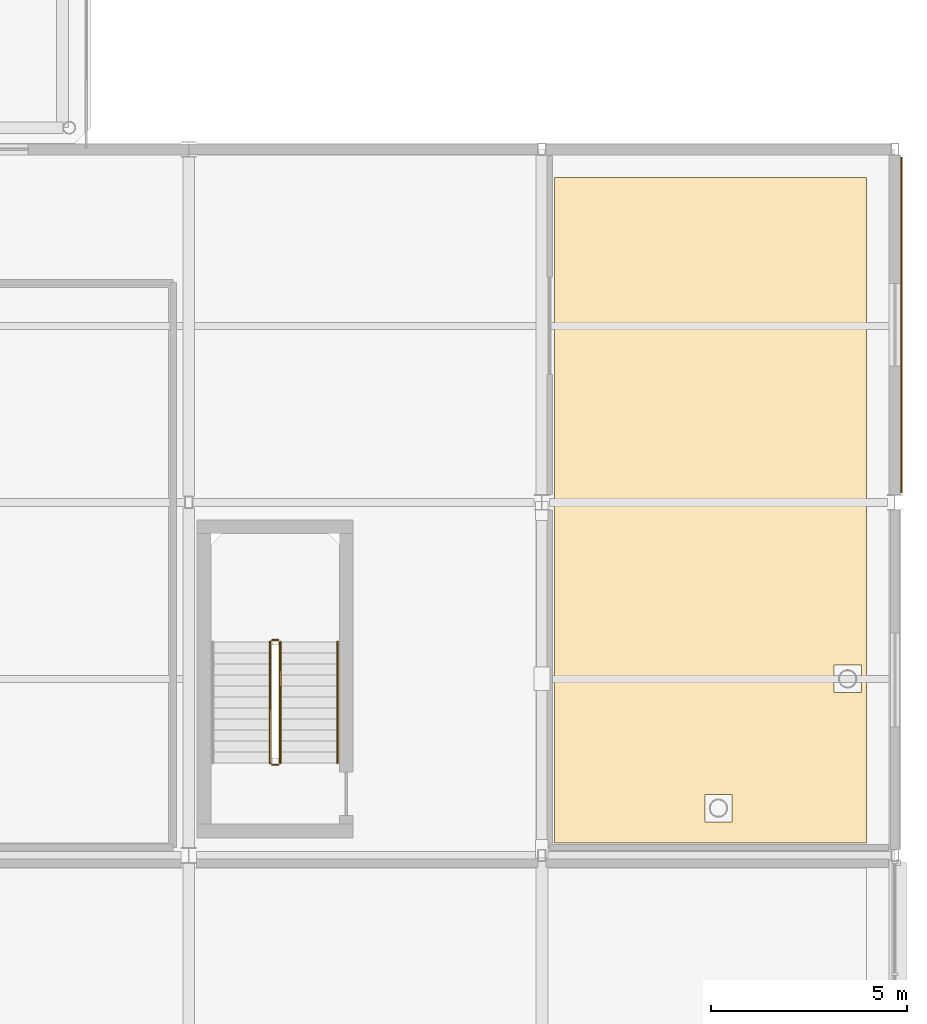
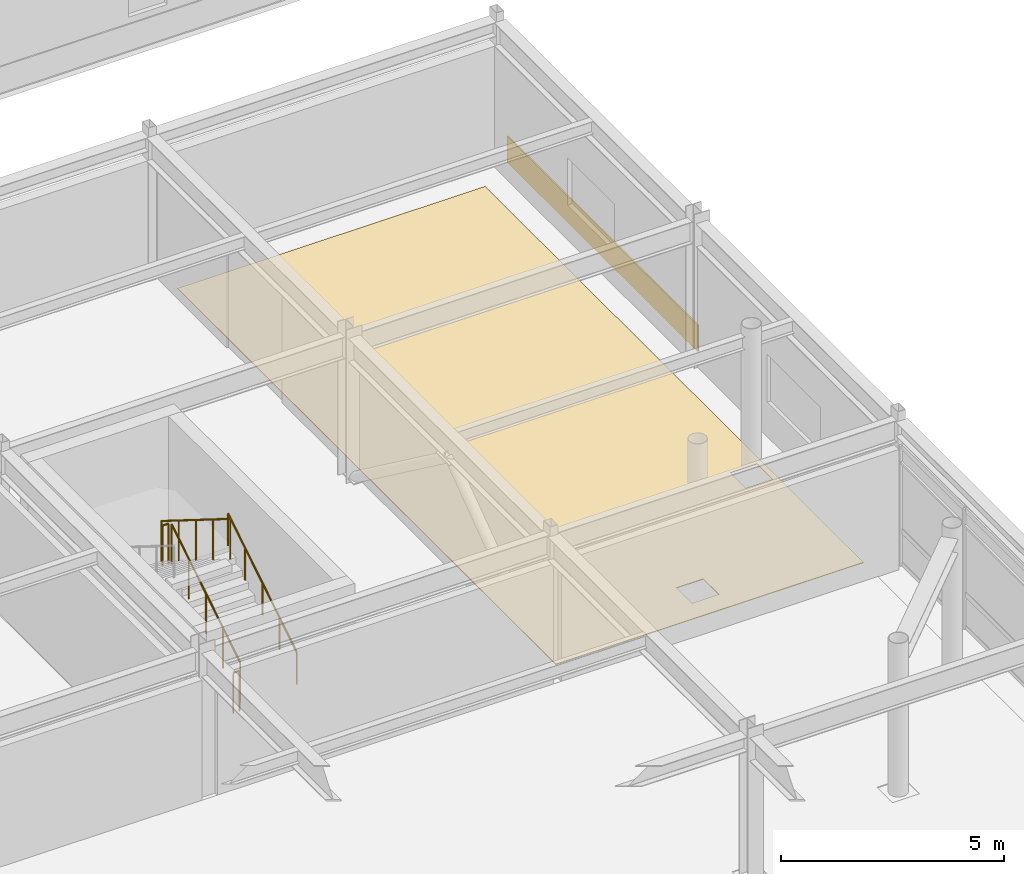
# One storey, part 101 of 105: 5 railings, 2 coverings.
"""IFC4 building model written with IfcOpenShell, lengths in metres."""

import ifcopenshell
import ifcopenshell.guid

model = None  # the IFC model being written
_history = None  # IfcOwnerHistory: only IFC2X3 demands one
_inside = {}  # id of a spatial element -> (the spatial element, [elements in it])
_under = {}  # id of a project, library or spatial element -> (it, [spatial elements below it])
_declared = {}  # id of a project -> (the project, [libraries it declares])
_typed = {}  # id of a type object -> (the type object, [elements of that type])
_made_of = {}  # id of a material, layer set ... -> (it, [elements and type objects made of it])


def new_model(schema):
    """Start an empty IFC model of exactly this schema.

    Asked for "IFC4X3", IfcOpenShell would pick the latest addendum, in which some entities
    have other attributes; the version numbers below select the first issue.
    IFC2X3 requires an IfcOwnerHistory on every rooted entity: one is made here for all.
    """
    global model, _history
    if schema == "IFC4X3":
        model = ifcopenshell.file(schema_version=(4, 3, 0, 0))
    else:
        model = ifcopenshell.file(schema=schema)
    _inside.clear()
    _under.clear()
    _declared.clear()
    _typed.clear()
    _made_of.clear()
    _history = None
    if model.schema == "IFC2X3":
        org = make("IfcOrganization", Name="unknown")
        user = make(
            "IfcPersonAndOrganization",
            ThePerson=make("IfcPerson", FamilyName="unknown"),
            TheOrganization=org,
        )
        app = make(
            "IfcApplication",
            ApplicationDeveloper=org,
            Version="unknown",
            ApplicationFullName="unknown",
            ApplicationIdentifier="unknown",
        )
        _history = make(
            "IfcOwnerHistory",
            OwningUser=user,
            OwningApplication=app,
            ChangeAction="ADDED",
            CreationDate=0,
        )
    return model


def make(cls, **values):
    """One entity of the class cls with the attributes given. An attribute that is None is left unset."""
    return model.create_entity(
        cls, **{name: value for name, value in values.items() if value is not None}
    )


def rooted(cls, **values):
    """An entity with a GlobalId (a new one), such as an element, a storey or a relation."""
    return make(cls, GlobalId=ifcopenshell.guid.new(), OwnerHistory=_history, **values)


def si_unit(unit_type, name, prefix=None):
    """IfcSIUnit, for example si_unit("LENGTHUNIT", "METRE", prefix="MILLI")."""
    return make("IfcSIUnit", UnitType=unit_type, Prefix=prefix, Name=name)


def assignment(units):
    """IfcUnitAssignment: the units of a project."""
    return None if units is None else make("IfcUnitAssignment", Units=units)


def point(xyz):
    """IfcCartesianPoint."""
    return None if xyz is None else make("IfcCartesianPoint", Coordinates=xyz)


def direction(xyz):
    """IfcDirection."""
    return None if xyz is None else make("IfcDirection", DirectionRatios=xyz)


def frame(location, z_axis=None, x_axis=None):
    """IfcAxis2Placement3D, a coordinate frame: its origin and axes. An axis left out is left unset."""
    return make(
        "IfcAxis2Placement3D",
        Location=point(location),
        Axis=direction(z_axis),
        RefDirection=direction(x_axis),
    )


def frame_2d(location, x_axis=None):
    """IfcAxis2Placement2D, a coordinate frame in the plane: its origin and x axis."""
    return make(
        "IfcAxis2Placement2D", Location=point(location), RefDirection=direction(x_axis)
    )


def origin():
    """The frame at (0, 0, 0) with its axes left unset."""
    return frame((0.0, 0.0, 0.0))


def origin_2d():
    """The frame at (0, 0) in the plane with its x axis left unset."""
    return frame_2d((0.0, 0.0))


def place(relative_to, where):
    """IfcLocalPlacement: puts the frame where relative to a parent placement (None: the world)."""
    return make(
        "IfcLocalPlacement", PlacementRelTo=relative_to, RelativePlacement=where
    )


def context(
    kind, dimensions, precision=None, world=None, true_north=None, identifier=None
):
    """IfcGeometricRepresentationContext, for example the 3D "Model" context."""
    return make(
        "IfcGeometricRepresentationContext",
        ContextIdentifier=identifier,
        ContextType=kind,
        CoordinateSpaceDimension=dimensions,
        Precision=precision,
        WorldCoordinateSystem=world,
        TrueNorth=true_north,
    )


def subcontext(parent, identifier, kind, view, scale=None):
    """IfcGeometricRepresentationSubContext, for example "Body" below "Model"."""
    return make(
        "IfcGeometricRepresentationSubContext",
        ContextIdentifier=identifier,
        ContextType=kind,
        ParentContext=parent,
        TargetScale=scale,
        TargetView=view,
    )


def project(units=None, contexts=None):
    """IfcProject with its units and contexts."""
    return rooted(
        "IfcProject",
        Name="project",
        RepresentationContexts=contexts,
        UnitsInContext=assignment(units),
    )


def spatial(cls, under=None, at=None, **own):
    """A site, building, storey or space (cls), placed at a placement, below another one or the project."""
    s = rooted(cls, ObjectPlacement=at, **own)
    if under is not None:
        _under.setdefault(under.id(), (under, []))[1].append(s)
    return s


def polyline(points):
    """IfcPolyline through the points."""
    return make("IfcPolyline", Points=[point(p) for p in points])


def profile(cls, at=None, kind="AREA", **sizes):
    """A parametric profile (cls). Its sizes go by their IFC names, for example OverallWidth=200.0."""
    return make(cls, ProfileType=kind, Position=at, **sizes)


def rectangle(**sizes):
    """IfcRectangleProfileDef."""
    return profile("IfcRectangleProfileDef", **sizes)


def circle(**sizes):
    """IfcCircleProfileDef."""
    return profile("IfcCircleProfileDef", **sizes)


def outline(outer, holes=None, kind="AREA"):
    """IfcArbitraryClosedProfileDef: a profile drawn as a closed curve; with holes, ...WithVoids."""
    if holes is None:
        return make("IfcArbitraryClosedProfileDef", ProfileType=kind, OuterCurve=outer)
    return make(
        "IfcArbitraryProfileDefWithVoids",
        ProfileType=kind,
        OuterCurve=outer,
        InnerCurves=holes,
    )


def extrude(swept, where, along, depth):
    """IfcExtrudedAreaSolid: the profile swept, set in the frame where, extruded along a direction by depth."""
    return make(
        "IfcExtrudedAreaSolid",
        SweptArea=swept,
        Position=where,
        ExtrudedDirection=direction(along),
        Depth=depth,
    )


def shape(context_of_items, identifier, shape_type, items):
    """IfcShapeRepresentation: the items that make up one representation, for example the "Body"."""
    return make(
        "IfcShapeRepresentation",
        ContextOfItems=context_of_items,
        RepresentationIdentifier=identifier,
        RepresentationType=shape_type,
        Items=items,
    )


def material(Name=None, Category=None):
    """IfcMaterial."""
    return make("IfcMaterial", Name=Name, Category=Category)


def layer(
    of_material, thickness, ventilated=None, Name=None, Category=None, Priority=None
):
    """IfcMaterialLayer: one layer of a wall or slab, of a material (None: an air gap)."""
    return make(
        "IfcMaterialLayer",
        Material=of_material,
        LayerThickness=thickness,
        IsVentilated=ventilated,
        Name=Name,
        Category=Category,
        Priority=Priority,
    )


def layer_set(layers, Name=None):
    """IfcMaterialLayerSet."""
    return make("IfcMaterialLayerSet", MaterialLayers=layers, LayerSetName=Name)


def made_of(thing, what):
    """Note that an element or type object is made of a material, layer set ...; save() writes the relation."""
    if what is not None:
        _made_of.setdefault(what.id(), (what, []))[1].append(thing)
    return thing


def type_object(cls, material=None, **own):
    """A type object (cls), such as IfcWallType, which elements share."""
    return made_of(rooted(cls, **own), material)


def element(
    cls,
    number,
    at=None,
    inside=None,
    cuts=None,
    type_object=None,
    material=None,
    context=None,
    identifier="Body",
    shape_type=None,
    held_by="IfcProductDefinitionShape",
    body=None,
    shapes=None,
    **own,
):
    """One element of the class cls, such as IfcWall. Its Tag is "e" and its number.

    at: its placement. inside: the storey or other place that contains it. cuts: it is an
    opening in that element (IfcRelVoidsElement). A single representation is given by context,
    identifier, shape_type and body (its items); several are given by shapes. held_by: the class
    of the entity that holds the representations. save() writes the other relations.
    """
    e = rooted(cls, Tag="e%d" % number, ObjectPlacement=at, **own)
    if body is not None:
        shapes = [shape(context, identifier, shape_type, body)]
    if shapes is not None:
        e.Representation = make(held_by, Representations=shapes)
    if inside is not None:
        _inside.setdefault(inside.id(), (inside, []))[1].append(e)
    if cuts is not None:
        rooted(
            "IfcRelVoidsElement", RelatingBuildingElement=cuts, RelatedOpeningElement=e
        )
    if type_object is not None:
        _typed.setdefault(type_object.id(), (type_object, []))[1].append(e)
    return made_of(e, material)


def aggregate(whole, parts):
    """IfcRelAggregates: a whole, such as a stair, and the parts it consists of."""
    return rooted("IfcRelAggregates", RelatingObject=whole, RelatedObjects=parts)


def save(model, path):
    """Write the relations noted so far, then the file.

    IfcRelAggregates (storeys below a building ...), IfcRelContainedInSpatialStructure (elements
    in a storey), IfcRelDefinesByType, IfcRelAssociatesMaterial and IfcRelDeclares: one each for
    every whole, place, type object, material and project.
    """
    for whole, parts in _under.values():
        aggregate(whole, parts)
    for where, things in _inside.values():
        rooted(
            "IfcRelContainedInSpatialStructure",
            RelatedElements=things,
            RelatingStructure=where,
        )
    for kind, things in _typed.values():
        rooted("IfcRelDefinesByType", RelatedObjects=things, RelatingType=kind)
    for what, things in _made_of.values():
        rooted("IfcRelAssociatesMaterial", RelatedObjects=things, RelatingMaterial=what)
    for by, libraries in _declared.values():
        rooted("IfcRelDeclares", RelatingContext=by, RelatedDefinitions=libraries)
    model.write(path)


model = new_model("IFC4")

# Units and contexts
model_context = context("Model", 3, precision=1e-05, world=origin(), true_north=direction((0.0, 1.0)))
body_context = subcontext(model_context, "Body", "Model", "MODEL_VIEW")
ifc_project = project(units=[si_unit("LENGTHUNIT", "METRE"), si_unit("AREAUNIT", "SQUARE_METRE"), si_unit("VOLUMEUNIT", "CUBIC_METRE"), si_unit("PLANEANGLEUNIT", "RADIAN"), si_unit("MASSUNIT", "GRAM", prefix="KILO")], contexts=[model_context])

# Site, building, storey
site_placement = place(None, origin())
site = spatial("IfcSite", under=ifc_project, at=site_placement, CompositionType="ELEMENT")
building_placement = place(site_placement, origin())
building = spatial("IfcBuilding", under=site, at=building_placement, Name="Suzunagisa Mobility Hub", CompositionType="ELEMENT")
storey_placement = place(building_placement, frame((0.0, 0.0, 5.10009765625)))
storey = spatial("IfcBuildingStorey", under=building, at=storey_placement, Name="L01", CompositionType="ELEMENT", Elevation=5.10009765625)

# Railings
ifc_material_1 = material(Name="Stainless Steel SUS304", Category="metal")
railing_type_1 = type_object("IfcRailingType", Name="Interior Well Guardrail IGR-01", PredefinedType="GUARDRAIL", material=ifc_material_1)
railing_1_placement = place(storey_placement, frame((164.330078125, 20.360107421875, 0.1748046875)))
element("IfcRailing", 1, at=railing_1_placement, inside=storey, type_object=railing_type_1, Name="L01 ST-10 stair guard 1", PredefinedType="GUARDRAIL", context=body_context, shape_type="SweptSolid", body=[
    extrude(circle(Radius=0.02392578125, at=origin_2d()), frame((0.0, 0.0, 1.09619140625), z_axis=(0.0, 0.847979421464, 0.530029150871), x_axis=(-1.0, 0.0, 0.0)), (0.0, 0.0, 1.0), 3.632080078125),
    extrude(circle(Radius=0.02099609375, at=origin_2d()), origin(), (0.0, 0.0, 1.0), 1.072021484375),
    extrude(circle(Radius=0.02099609375, at=origin_2d()), frame((0.0, 0.77001953125, 0.481201171875)), (0.0, 0.0, 1.0), 1.072021484375),
    extrude(circle(Radius=0.02099609375, at=origin_2d()), frame((0.0, 1.5400390625, 0.96240234375)), (0.0, 0.0, 1.0), 1.072021484375),
    extrude(circle(Radius=0.02099609375, at=origin_2d()), frame((0.0, 2.309814453125, 1.44384765625)), (0.0, 0.0, 1.0), 1.072021484375),
    extrude(circle(Radius=0.02099609375, at=origin_2d()), frame((0.0, 3.079833984375, 1.925048828125)), (0.0, 0.0, 1.0), 1.072021484375),
])
railing_2_placement = place(storey_placement, frame((164.280029296875, 23.489990234375, 2.099853515625)))
element("IfcRailing", 2, at=railing_2_placement, inside=storey, type_object=railing_type_1, Name="L01 ST-10 stair guard 2", PredefinedType="GUARDRAIL", context=body_context, shape_type="SweptSolid", body=[
    extrude(circle(Radius=0.02392578125, at=origin_2d()), frame((0.0, 0.0, 1.09619140625), z_axis=(-1.0, 0.0, 0.0), x_axis=(0.0, -1.0, 0.0)), (0.0, 0.0, 1.0), 0.159912109375),
    extrude(circle(Radius=0.02099609375, at=origin_2d()), origin(), (0.0, 0.0, 1.0), 1.072021484375),
    extrude(circle(Radius=0.02099609375, at=origin_2d()), frame((-0.159912109375, 0.0, 0.0)), (0.0, 0.0, 1.0), 1.072021484375),
])
railing_3_placement = place(storey_placement, frame((164.070068359375, 23.43994140625, 2.27490234375)))
element("IfcRailing", 3, at=railing_3_placement, inside=storey, type_object=railing_type_1, Name="L01 ST-10 stair guard 3", PredefinedType="GUARDRAIL", context=body_context, shape_type="SweptSolid", body=[
    extrude(circle(Radius=0.02392578125, at=origin_2d()), frame((0.0, 0.0, 1.09619140625), z_axis=(0.0, -0.847979421464, 0.530029150871), x_axis=(1.0, 0.0, 0.0)), (0.0, 0.0, 1.0), 3.632080078125),
    extrude(circle(Radius=0.02099609375, at=origin_2d()), origin(), (0.0, 0.0, 1.0), 1.072021484375),
    extrude(circle(Radius=0.02099609375, at=origin_2d()), frame((0.0, -0.77001953125, 0.481201171875)), (0.0, 0.0, 1.0), 1.072021484375),
    extrude(circle(Radius=0.02099609375, at=origin_2d()), frame((0.0, -1.5400390625, 0.96240234375)), (0.0, 0.0, 1.0), 1.072021484375),
    extrude(circle(Radius=0.02099609375, at=origin_2d()), frame((0.0, -2.309814453125, 1.44384765625)), (0.0, 0.0, 1.0), 1.072021484375),
    extrude(circle(Radius=0.02099609375, at=origin_2d()), frame((0.0, -3.079833984375, 1.925048828125)), (0.0, 0.0, 1.0), 1.072021484375),
])
railing_4_placement = place(storey_placement, frame((164.280029296875, 20.31005859375, 0.0)))
element("IfcRailing", 4, at=railing_4_placement, inside=storey, type_object=railing_type_1, Name="L01 ST-10 stair guard 4", PredefinedType="GUARDRAIL", context=body_context, shape_type="SweptSolid", body=[
    extrude(circle(Radius=0.02392578125, at=origin_2d()), frame((0.0, 0.0, 1.09619140625), z_axis=(-1.0, 0.0, 0.0), x_axis=(0.0, -1.0, 0.0)), (0.0, 0.0, 1.0), 0.159912109375),
    extrude(circle(Radius=0.02099609375, at=origin_2d()), origin(), (0.0, 0.0, 1.0), 1.072021484375),
    extrude(circle(Radius=0.02099609375, at=origin_2d()), frame((-0.159912109375, 0.0, 0.0)), (0.0, 0.0, 1.0), 1.072021484375),
])

# Coverings
ifc_material_2 = material(Name="Polished Aggregate Terrazzo Finish")
ifc_layer_1 = layer(ifc_material_2, 0.02001953125)
ifc_layer_set_1 = layer_set([ifc_layer_1], Name="Polished Aggregate Terrazzo Finish")
covering_type_1 = type_object("IfcCoveringType", Name="Polished Terrazzo Heavy-Traffic Flooring FLR-01", PredefinedType="FLOORING", material=ifc_layer_set_1)
covering_1_placement = place(storey_placement, origin())
element("IfcCovering", 5, at=covering_1_placement, inside=storey, type_object=covering_type_1, Name="L01 East Mobility Fleet Avionics Bench L01 Terrazzo Flooring", PredefinedType="FLOORING", context=body_context, shape_type="SweptSolid", body=[
    extrude(outline(polyline([(171.320068359375, 35.280029296875), (179.280029296875, 35.280029296875), (179.280029296875, 18.320068359375), (171.320068359375, 18.320068359375), (171.320068359375, 26.679931640625), (171.320068359375, 27.320068359375), (171.320068359375, 35.280029296875)]), holes=[polyline([(175.8486328125, 19.554443359375), (175.1513671875, 19.554443359375), (175.1513671875, 18.857177734375), (175.8486328125, 18.857177734375), (175.8486328125, 19.554443359375)]), polyline([(179.142822265625, 22.1513671875), (179.142822265625, 22.8486328125), (178.445556640625, 22.8486328125), (178.445556640625, 22.1513671875), (179.142822265625, 22.1513671875)])]), origin(), (0.0, 0.0, 1.0), 0.02001953125),
])
ifc_material_3 = material(Name="Vitreous Porcelain Enamel Aluminum Cladding", Category="aluminium")
ifc_layer_2 = layer(ifc_material_3, 0.034912109375)
ifc_layer_set_2 = layer_set([ifc_layer_2], Name="Vitreous Porcelain Enamel Aluminum Cladding")
covering_type_2 = type_object("IfcCoveringType", Name="Porcelain Enamel Spandrel Cladding Band CLD-01", PredefinedType="CLADDING", material=ifc_layer_set_2)
covering_2_placement = place(storey_placement, frame((180.16748046875, 31.52490234375, 0.06005859375), z_axis=(0.0, 0.0, 1.0), x_axis=(0.0, 1.0, 0.0)))
element("IfcCovering", 6, at=covering_2_placement, inside=storey, type_object=covering_type_2, Name="L01 Porcelain Spandrel Cladding Band CLD-32", PredefinedType="CLADDING", context=body_context, shape_type="SweptSolid", body=[
    extrude(rectangle(XDim=8.550048828125, YDim=0.034912109375, at=origin_2d()), origin(), (0.0, 0.0, 1.0), 0.719970703125),
])

# Railing
railing_type_2 = type_object("IfcRailingType", Name="Tubular Stainless Stair Handrail IHR-01", PredefinedType="HANDRAIL", material=ifc_material_1)
railing_5_placement = place(storey_placement, frame((165.7900390625, 20.360107421875, 0.1748046875)))
element("IfcRailing", 7, at=railing_5_placement, inside=storey, type_object=railing_type_2, Name="L01 ST-10 stair handrail 1", PredefinedType="HANDRAIL", context=body_context, shape_type="SweptSolid", body=[
    extrude(circle(Radius=0.02392578125, at=origin_2d()), frame((0.0, 0.0, 0.8759765625), z_axis=(0.0, 0.847979421464, 0.530029150871), x_axis=(-1.0, 0.0, 0.0)), (0.0, 0.0, 1.0), 3.632080078125),
    extrude(circle(Radius=0.02099609375, at=origin_2d()), origin(), (0.0, 0.0, 1.0), 0.851806640625),
    extrude(circle(Radius=0.02099609375, at=origin_2d()), frame((0.0, 0.77001953125, 0.481201171875)), (0.0, 0.0, 1.0), 0.851806640625),
    extrude(circle(Radius=0.02099609375, at=origin_2d()), frame((0.0, 1.5400390625, 0.96240234375)), (0.0, 0.0, 1.0), 0.851806640625),
    extrude(circle(Radius=0.02099609375, at=origin_2d()), frame((0.0, 2.309814453125, 1.44384765625)), (0.0, 0.0, 1.0), 0.851806640625),
    extrude(circle(Radius=0.02099609375, at=origin_2d()), frame((0.0, 3.079833984375, 1.925048828125)), (0.0, 0.0, 1.0), 0.851806640625),
])

save(model, "model.ifc")
